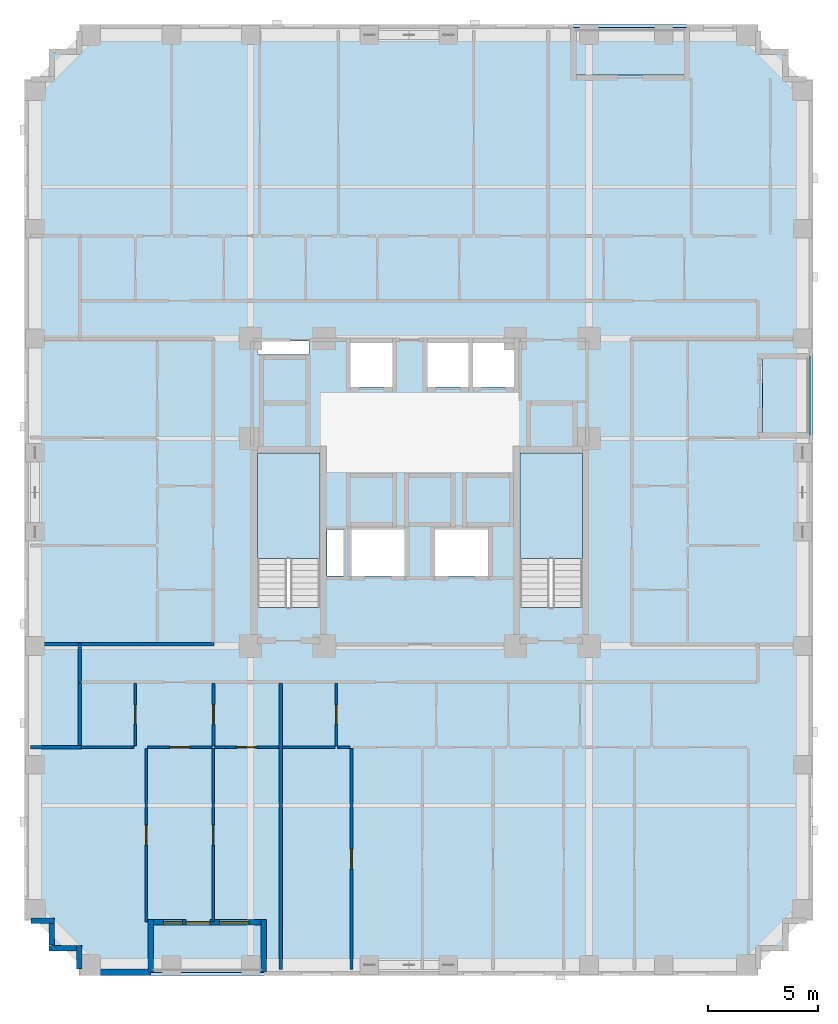
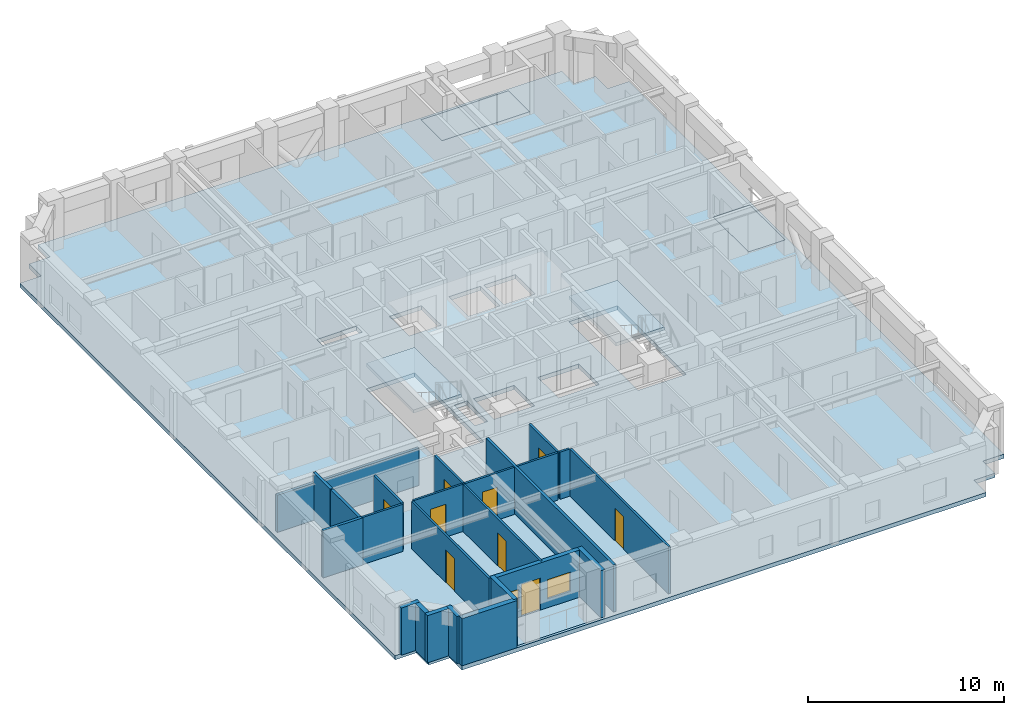
# One storey, part 2 of 12: 24 walls, 9 doors, 6 slabs, 2 windows, 11 openings, 2 elements without a shape of their own.
"""IFC4 building model written with IfcOpenShell, lengths in metres."""

import ifcopenshell
import ifcopenshell.guid

model = None  # the IFC model being written
_history = None  # IfcOwnerHistory: only IFC2X3 demands one
_inside = {}  # id of a spatial element -> (the spatial element, [elements in it])
_under = {}  # id of a project, library or spatial element -> (it, [spatial elements below it])
_declared = {}  # id of a project -> (the project, [libraries it declares])
_typed = {}  # id of a type object -> (the type object, [elements of that type])
_made_of = {}  # id of a material, layer set ... -> (it, [elements and type objects made of it])


def new_model(schema):
    """Start an empty IFC model of exactly this schema.

    Asked for "IFC4X3", IfcOpenShell would pick the latest addendum, in which some entities
    have other attributes; the version numbers below select the first issue.
    IFC2X3 requires an IfcOwnerHistory on every rooted entity: one is made here for all.
    """
    global model, _history
    if schema == "IFC4X3":
        model = ifcopenshell.file(schema_version=(4, 3, 0, 0))
    else:
        model = ifcopenshell.file(schema=schema)
    _inside.clear()
    _under.clear()
    _declared.clear()
    _typed.clear()
    _made_of.clear()
    _history = None
    if model.schema == "IFC2X3":
        org = make("IfcOrganization", Name="unknown")
        user = make(
            "IfcPersonAndOrganization",
            ThePerson=make("IfcPerson", FamilyName="unknown"),
            TheOrganization=org,
        )
        app = make(
            "IfcApplication",
            ApplicationDeveloper=org,
            Version="unknown",
            ApplicationFullName="unknown",
            ApplicationIdentifier="unknown",
        )
        _history = make(
            "IfcOwnerHistory",
            OwningUser=user,
            OwningApplication=app,
            ChangeAction="ADDED",
            CreationDate=0,
        )
    return model


def make(cls, **values):
    """One entity of the class cls with the attributes given. An attribute that is None is left unset."""
    return model.create_entity(
        cls, **{name: value for name, value in values.items() if value is not None}
    )


def rooted(cls, **values):
    """An entity with a GlobalId (a new one), such as an element, a storey or a relation."""
    return make(cls, GlobalId=ifcopenshell.guid.new(), OwnerHistory=_history, **values)


def si_unit(unit_type, name, prefix=None):
    """IfcSIUnit, for example si_unit("LENGTHUNIT", "METRE", prefix="MILLI")."""
    return make("IfcSIUnit", UnitType=unit_type, Prefix=prefix, Name=name)


def derived_unit(unit_type, elements):
    """IfcDerivedUnit: a product of units, each with its exponent."""
    return make(
        "IfcDerivedUnit",
        Elements=[
            make("IfcDerivedUnitElement", Unit=unit, Exponent=power)
            for unit, power in elements
        ],
        UnitType=unit_type,
    )


def assignment(units):
    """IfcUnitAssignment: the units of a project."""
    return None if units is None else make("IfcUnitAssignment", Units=units)


def point(xyz):
    """IfcCartesianPoint."""
    return None if xyz is None else make("IfcCartesianPoint", Coordinates=xyz)


def direction(xyz):
    """IfcDirection."""
    return None if xyz is None else make("IfcDirection", DirectionRatios=xyz)


def frame(location, z_axis=None, x_axis=None):
    """IfcAxis2Placement3D, a coordinate frame: its origin and axes. An axis left out is left unset."""
    return make(
        "IfcAxis2Placement3D",
        Location=point(location),
        Axis=direction(z_axis),
        RefDirection=direction(x_axis),
    )


def frame_2d(location, x_axis=None):
    """IfcAxis2Placement2D, a coordinate frame in the plane: its origin and x axis."""
    return make(
        "IfcAxis2Placement2D", Location=point(location), RefDirection=direction(x_axis)
    )


def origin():
    """The frame at (0, 0, 0) with its axes left unset."""
    return frame((0.0, 0.0, 0.0))


def place(relative_to, where):
    """IfcLocalPlacement: puts the frame where relative to a parent placement (None: the world)."""
    return make(
        "IfcLocalPlacement", PlacementRelTo=relative_to, RelativePlacement=where
    )


def context(
    kind, dimensions, precision=None, world=None, true_north=None, identifier=None
):
    """IfcGeometricRepresentationContext, for example the 3D "Model" context."""
    return make(
        "IfcGeometricRepresentationContext",
        ContextIdentifier=identifier,
        ContextType=kind,
        CoordinateSpaceDimension=dimensions,
        Precision=precision,
        WorldCoordinateSystem=world,
        TrueNorth=true_north,
    )


def subcontext(parent, identifier, kind, view, scale=None):
    """IfcGeometricRepresentationSubContext, for example "Body" below "Model"."""
    return make(
        "IfcGeometricRepresentationSubContext",
        ContextIdentifier=identifier,
        ContextType=kind,
        ParentContext=parent,
        TargetScale=scale,
        TargetView=view,
    )


def project(units=None, contexts=None):
    """IfcProject with its units and contexts."""
    return rooted(
        "IfcProject",
        Name="project",
        RepresentationContexts=contexts,
        UnitsInContext=assignment(units),
    )


def spatial(cls, under=None, at=None, **own):
    """A site, building, storey or space (cls), placed at a placement, below another one or the project."""
    s = rooted(cls, ObjectPlacement=at, **own)
    if under is not None:
        _under.setdefault(under.id(), (under, []))[1].append(s)
    return s


def polyline(points):
    """IfcPolyline through the points."""
    return make("IfcPolyline", Points=[point(p) for p in points])


def profile(cls, at=None, kind="AREA", **sizes):
    """A parametric profile (cls). Its sizes go by their IFC names, for example OverallWidth=200.0."""
    return make(cls, ProfileType=kind, Position=at, **sizes)


def rectangle(**sizes):
    """IfcRectangleProfileDef."""
    return profile("IfcRectangleProfileDef", **sizes)


def outline(outer, holes=None, kind="AREA"):
    """IfcArbitraryClosedProfileDef: a profile drawn as a closed curve; with holes, ...WithVoids."""
    if holes is None:
        return make("IfcArbitraryClosedProfileDef", ProfileType=kind, OuterCurve=outer)
    return make(
        "IfcArbitraryProfileDefWithVoids",
        ProfileType=kind,
        OuterCurve=outer,
        InnerCurves=holes,
    )


def extrude(swept, where, along, depth):
    """IfcExtrudedAreaSolid: the profile swept, set in the frame where, extruded along a direction by depth."""
    return make(
        "IfcExtrudedAreaSolid",
        SweptArea=swept,
        Position=where,
        ExtrudedDirection=direction(along),
        Depth=depth,
    )


def shape(context_of_items, identifier, shape_type, items):
    """IfcShapeRepresentation: the items that make up one representation, for example the "Body"."""
    return make(
        "IfcShapeRepresentation",
        ContextOfItems=context_of_items,
        RepresentationIdentifier=identifier,
        RepresentationType=shape_type,
        Items=items,
    )


def material(Name=None, Category=None):
    """IfcMaterial."""
    return make("IfcMaterial", Name=Name, Category=Category)


def layer(
    of_material, thickness, ventilated=None, Name=None, Category=None, Priority=None
):
    """IfcMaterialLayer: one layer of a wall or slab, of a material (None: an air gap)."""
    return make(
        "IfcMaterialLayer",
        Material=of_material,
        LayerThickness=thickness,
        IsVentilated=ventilated,
        Name=Name,
        Category=Category,
        Priority=Priority,
    )


def layer_set(layers, Name=None):
    """IfcMaterialLayerSet."""
    return make("IfcMaterialLayerSet", MaterialLayers=layers, LayerSetName=Name)


def made_of(thing, what):
    """Note that an element or type object is made of a material, layer set ...; save() writes the relation."""
    if what is not None:
        _made_of.setdefault(what.id(), (what, []))[1].append(thing)
    return thing


def type_object(cls, material=None, **own):
    """A type object (cls), such as IfcWallType, which elements share."""
    return made_of(rooted(cls, **own), material)


def element(
    cls,
    number,
    at=None,
    inside=None,
    cuts=None,
    type_object=None,
    material=None,
    context=None,
    identifier="Body",
    shape_type=None,
    held_by="IfcProductDefinitionShape",
    body=None,
    shapes=None,
    **own,
):
    """One element of the class cls, such as IfcWall. Its Tag is "e" and its number.

    at: its placement. inside: the storey or other place that contains it. cuts: it is an
    opening in that element (IfcRelVoidsElement). A single representation is given by context,
    identifier, shape_type and body (its items); several are given by shapes. held_by: the class
    of the entity that holds the representations. save() writes the other relations.
    """
    e = rooted(cls, Tag="e%d" % number, ObjectPlacement=at, **own)
    if body is not None:
        shapes = [shape(context, identifier, shape_type, body)]
    if shapes is not None:
        e.Representation = make(held_by, Representations=shapes)
    if inside is not None:
        _inside.setdefault(inside.id(), (inside, []))[1].append(e)
    if cuts is not None:
        rooted(
            "IfcRelVoidsElement", RelatingBuildingElement=cuts, RelatedOpeningElement=e
        )
    if type_object is not None:
        _typed.setdefault(type_object.id(), (type_object, []))[1].append(e)
    return made_of(e, material)


def fill(opening, filler):
    """IfcRelFillsElement: the door or window that sits in an opening."""
    return rooted(
        "IfcRelFillsElement",
        RelatingOpeningElement=opening,
        RelatedBuildingElement=filler,
    )


def aggregate(whole, parts):
    """IfcRelAggregates: a whole, such as a stair, and the parts it consists of."""
    return rooted("IfcRelAggregates", RelatingObject=whole, RelatedObjects=parts)


def save(model, path):
    """Write the relations noted so far, then the file.

    IfcRelAggregates (storeys below a building ...), IfcRelContainedInSpatialStructure (elements
    in a storey), IfcRelDefinesByType, IfcRelAssociatesMaterial and IfcRelDeclares: one each for
    every whole, place, type object, material and project.
    """
    for whole, parts in _under.values():
        aggregate(whole, parts)
    for where, things in _inside.values():
        rooted(
            "IfcRelContainedInSpatialStructure",
            RelatedElements=things,
            RelatingStructure=where,
        )
    for kind, things in _typed.values():
        rooted("IfcRelDefinesByType", RelatedObjects=things, RelatingType=kind)
    for what, things in _made_of.values():
        rooted("IfcRelAssociatesMaterial", RelatedObjects=things, RelatingMaterial=what)
    for by, libraries in _declared.values():
        rooted("IfcRelDeclares", RelatingContext=by, RelatedDefinitions=libraries)
    model.write(path)


model = new_model("IFC4")

# Units and contexts
model_context = context("Model", 3, precision=1e-05, world=origin(), true_north=direction((0.0, 1.0)))
body_context = subcontext(model_context, "Body", "Model", "MODEL_VIEW")
ifc_project = project(units=[si_unit("LENGTHUNIT", "METRE"), si_unit("AREAUNIT", "SQUARE_METRE"), si_unit("VOLUMEUNIT", "CUBIC_METRE"), si_unit("PLANEANGLEUNIT", "RADIAN"), si_unit("MASSUNIT", "GRAM", prefix="KILO"), derived_unit("THERMALTRANSMITTANCEUNIT", [(si_unit("MASSUNIT", "GRAM", prefix="KILO"), 1), (si_unit("TIMEUNIT", "SECOND"), -3), (si_unit("THERMODYNAMICTEMPERATUREUNIT", "KELVIN"), -1)])], contexts=[model_context])

# Site, building, storey
site_placement = place(None, origin())
site = spatial("IfcSite", under=ifc_project, at=site_placement, CompositionType="ELEMENT")
building_placement = place(site_placement, origin())
building = spatial("IfcBuilding", under=site, at=building_placement, Name="Korrvale Station Residences", CompositionType="ELEMENT")
storey_placement = place(building_placement, frame((0.0, 0.0, 84.699951171875)))
storey = spatial("IfcBuildingStorey", under=building, at=storey_placement, Name="L23", CompositionType="ELEMENT", Elevation=84.699951171875)

# Slabs
ifc_material_1 = material(Name="Concrete C50/60", Category="concrete")
ifc_layer_1 = layer(ifc_material_1, 0.219970703125, Name="Concrete C50/60")
ifc_layer_set_1 = layer_set([ifc_layer_1], Name="Concrete C50/60")
slab_type_1 = type_object("IfcSlabType", Name="SLB-BAL-220", PredefinedType="FLOOR", material=ifc_layer_set_1)
slab_1_placement = place(storey_placement, frame((0.0, 0.0, -0.219970703125)))
element("IfcSlab", 1, at=slab_1_placement, inside=storey, type_object=slab_type_1, Name="L23 Recessed Loggia Balcony Slab BAL-L23-S1", PredefinedType="FLOOR", context=body_context, shape_type="SweptSolid", body=[
    extrude(outline(polyline([(13.25, 0.14990234375), (18.39990234375, 0.14990234375), (18.39990234375, 2.300048828125), (13.25, 2.300048828125), (13.25, 0.14990234375)])), origin(), (0.0, 0.0, 1.0), 0.219970703125),
])
slab_2_placement = place(storey_placement, frame((0.0, 0.0, -0.219970703125)))
element("IfcSlab", 2, at=slab_2_placement, inside=storey, type_object=slab_type_1, Name="L23 Recessed Loggia Balcony Slab BAL-L23-N1", PredefinedType="FLOOR", context=body_context, shape_type="SweptSolid", body=[
    extrude(outline(polyline([(32.5, 41.0), (37.64990234375, 41.0), (37.64990234375, 43.14990234375), (32.5, 43.14990234375), (32.5, 41.0)])), origin(), (0.0, 0.0, 1.0), 0.219970703125),
])
slab_3_placement = place(storey_placement, frame((0.0, 0.0, -0.219970703125)))
element("IfcSlab", 3, at=slab_3_placement, inside=storey, type_object=slab_type_1, Name="L23 Recessed Loggia Balcony Slab BAL-L23-E1", PredefinedType="FLOOR", context=body_context, shape_type="SweptSolid", body=[
    extrude(outline(polyline([(41.10009765625, 24.60009765625), (43.25, 24.60009765625), (43.25, 28.199951171875), (41.10009765625, 28.199951171875), (41.10009765625, 24.60009765625)])), origin(), (0.0, 0.0, 1.0), 0.219970703125),
])
ifc_layer_2 = layer(ifc_material_1, 0.260009765625, Name="Concrete C50/60")
ifc_layer_set_2 = layer_set([ifc_layer_2], Name="Concrete C50/60")
slab_type_2 = type_object("IfcSlabType", Name="SLB-FLR-260", PredefinedType="FLOOR", material=ifc_layer_set_2)
slab_4_placement = place(storey_placement, frame((0.0, 0.0, -0.260009765625)))
element("IfcSlab", 4, at=slab_4_placement, inside=storey, type_object=slab_type_2, Name="L23 Suspended Structural Floor Slab", PredefinedType="FLOOR", context=body_context, shape_type="SweptSolid", body=[
    extrude(outline(polyline([(10.0, 0.0), (40.89990234375, 0.0), (40.89990234375, 1.25), (42.14990234375, 1.25), (42.14990234375, 2.5), (43.39990234375, 2.5), (43.39990234375, 40.800048828125), (42.14990234375, 40.800048828125), (42.14990234375, 42.050048828125), (40.89990234375, 42.050048828125), (40.89990234375, 43.300048828125), (10.0, 43.300048828125), (10.0, 42.050048828125), (8.75, 42.050048828125), (8.75, 40.800048828125), (7.5, 40.800048828125), (7.5, 2.5), (8.75, 2.5), (8.75, 1.25), (10.0, 1.25), (10.0, 0.0)]), holes=[polyline([(20.949951171875, 16.751953125), (20.949951171875, 23.800048828125), (18.10009765625, 23.800048828125), (18.10009765625, 16.751953125), (20.949951171875, 16.751953125)]), polyline([(32.89990234375, 16.751953125), (32.89990234375, 23.800048828125), (30.050048828125, 23.800048828125), (30.050048828125, 16.751953125), (32.89990234375, 16.751953125)]), polyline([(22.35009765625, 26.800048828125), (24.25, 26.800048828125), (24.25, 28.800048828125), (22.35009765625, 28.800048828125), (22.35009765625, 26.800048828125)]), polyline([(25.85009765625, 26.800048828125), (27.7099609375, 26.800048828125), (27.7099609375, 28.800048828125), (25.85009765625, 28.800048828125), (25.85009765625, 26.800048828125)]), polyline([(27.929931640625, 26.800048828125), (29.7900390625, 26.800048828125), (29.7900390625, 28.800048828125), (27.929931640625, 28.800048828125), (27.929931640625, 26.800048828125)]), polyline([(22.39990234375, 18.199951171875), (24.800048828125, 18.199951171875), (24.800048828125, 20.300048828125), (22.39990234375, 20.300048828125), (22.39990234375, 18.199951171875)]), polyline([(26.199951171875, 18.199951171875), (28.60009765625, 18.199951171875), (28.60009765625, 20.300048828125), (26.199951171875, 20.300048828125), (26.199951171875, 18.199951171875)]), polyline([(18.10009765625, 28.280029296875), (20.449951171875, 28.280029296875), (20.449951171875, 28.8798828125), (18.10009765625, 28.8798828125), (18.10009765625, 28.280029296875)]), polyline([(21.280029296875, 18.199951171875), (22.02001953125, 18.199951171875), (22.02001953125, 20.300048828125), (21.280029296875, 20.300048828125), (21.280029296875, 18.199951171875)]), polyline([(13.25, 0.14990234375), (18.39990234375, 0.14990234375), (18.39990234375, 2.300048828125), (13.25, 2.300048828125), (13.25, 0.14990234375)]), polyline([(32.5, 41.0), (37.64990234375, 41.0), (37.64990234375, 43.14990234375), (32.5, 43.14990234375), (32.5, 41.0)]), polyline([(41.10009765625, 24.60009765625), (43.25, 24.60009765625), (43.25, 28.199951171875), (41.10009765625, 28.199951171875), (41.10009765625, 24.60009765625)])]), origin(), (0.0, 0.0, 1.0), 0.260009765625),
])

# Stair, slab
stair_type = type_object("IfcStairType", Name="STR-DL-1350-18R-1778", PredefinedType="HALF_TURN_STAIR", material=ifc_material_1)
stair_1_placement = place(storey_placement, origin())
stair_1 = element("IfcStair", 5, at=stair_1_placement, inside=storey, type_object=stair_type, Name="L23 Exit Stair 1", PredefinedType="HALF_TURN_STAIR")
ifc_layer_3 = layer(ifc_material_1, 0.199951171875, Name="Concrete C50/60")
ifc_layer_set_3 = layer_set([ifc_layer_3], Name="Concrete C50/60")
slab_type_3 = type_object("IfcSlabType", Name="SLB-LND-200", PredefinedType="LANDING", material=ifc_layer_set_3)
slab_5_placement = place(storey_placement, frame((0.0, 0.0, 1.400146484375)))
slab_5 = element("IfcSlab", 6, at=slab_5_placement, type_object=slab_type_3, Name="ST-1 landing 1", PredefinedType="LANDING", context=body_context, shape_type="SweptSolid", body=[
    extrude(outline(polyline([(20.949951171875, 18.989990234375), (20.949951171875, 23.800048828125), (18.10009765625, 23.800048828125), (18.10009765625, 18.989990234375), (20.949951171875, 18.989990234375)])), origin(), (0.0, 0.0, 1.0), 0.199951171875),
])
aggregate(stair_1, [slab_5])

stair_2_placement = place(storey_placement, origin())
stair_2 = element("IfcStair", 7, at=stair_2_placement, inside=storey, type_object=stair_type, Name="L23 Exit Stair 2", PredefinedType="HALF_TURN_STAIR")
slab_6_placement = place(storey_placement, frame((0.0, 0.0, 1.400146484375)))
slab_6 = element("IfcSlab", 8, at=slab_6_placement, type_object=slab_type_3, Name="ST-2 landing 1", PredefinedType="LANDING", context=body_context, shape_type="SweptSolid", body=[
    extrude(outline(polyline([(32.89990234375, 18.989990234375), (32.89990234375, 23.800048828125), (30.050048828125, 23.800048828125), (30.050048828125, 18.989990234375), (32.89990234375, 18.989990234375)])), origin(), (0.0, 0.0, 1.0), 0.199951171875),
])
aggregate(stair_2, [slab_6])

# Wall
ifc_material_2 = material(Name="Precast concrete C45/55", Category="concrete")
ifc_layer_4 = layer(ifc_material_2, 0.260009765625, Name="Precast concrete C45/55")
ifc_layer_set_4 = layer_set([ifc_layer_4], Name="Precast concrete C45/55")
wall_type_1 = type_object("IfcWallType", Name="WAL-EXT-LOG260", PredefinedType="SOLIDWALL", material=ifc_layer_set_4)
wall_1_placement = place(storey_placement, frame((18.39990234375, 0.159912109375, 0.0), z_axis=(0.0, 0.0, 1.0), x_axis=(0.0, 1.0, 0.0)))
element("IfcWall", 9, at=wall_1_placement, inside=storey, type_object=wall_type_1, Name="L23 Recessed Loggia Wall BAL-L23-S1-L", PredefinedType="SOLIDWALL", context=body_context, shape_type="SweptSolid", body=[
    extrude(rectangle(XDim=2.400146484375, YDim=0.260009765625, at=frame_2d((1.2001953125, 0.0))), origin(), (0.0, 0.0, 1.0), 2.93994140625),
])

# Wall, openings, door, windows
wall_2_placement = place(storey_placement, frame((18.26611328125, 2.429931640625, 0.0), z_axis=(0.0, 0.0, 1.0), x_axis=(-1.0, 0.0, 0.0)))
wall_2 = element("IfcWall", 10, at=wall_2_placement, inside=storey, type_object=wall_type_1, Name="L23 Recessed Loggia Wall BAL-L23-S1-B", PredefinedType="SOLIDWALL", context=body_context, shape_type="SweptSolid", body=[
    extrude(rectangle(XDim=4.882080078125, YDim=0.260009765625, at=frame_2d((2.44091796875, 0.0))), origin(), (0.0, 0.0, 1.0), 2.93994140625),
])
opening_1_placement = place(wall_2_placement, frame((2.31591796875, 0.0, 0.0)))
opening_1 = element("IfcOpeningElement", 11, at=opening_1_placement, cuts=wall_2, Name="Opening BD-01", PredefinedType="OPENING", context=body_context, shape_type="SweptSolid", body=[
    extrude(rectangle(XDim=1.10009765625, YDim=2.0, at=frame_2d((0.550048828125, 1.0))), frame((0.0, 0.14013671875, 0.0), z_axis=(0.0, -1.0, 0.0), x_axis=(1.0, 0.0, 0.0)), (0.0, 0.0, 1.0), 0.280029296875),
])
opening_2_placement = place(wall_2_placement, frame((3.575927734375, 0.0, 0.550048828125)))
opening_2 = element("IfcOpeningElement", 12, at=opening_2_placement, cuts=wall_2, Name="Opening W-11", PredefinedType="OPENING", context=body_context, shape_type="SweptSolid", body=[
    extrude(rectangle(XDim=0.85009765625, YDim=1.199951171875, at=frame_2d((0.425048828125, 0.60009765625))), frame((0.0, 0.14013671875, 0.0), z_axis=(0.0, -1.0, 0.0), x_axis=(1.0, 0.0, 0.0)), (0.0, 0.0, 1.0), 0.280029296875),
])
opening_3_placement = place(wall_2_placement, frame((0.544921875, 0.0, 0.550048828125)))
opening_3 = element("IfcOpeningElement", 13, at=opening_3_placement, cuts=wall_2, Name="Opening W-10", PredefinedType="OPENING", context=body_context, shape_type="SweptSolid", body=[
    extrude(rectangle(XDim=1.35009765625, YDim=1.199951171875, at=frame_2d((0.675048828125, 0.60009765625))), frame((0.0, 0.14013671875, 0.0), z_axis=(0.0, -1.0, 0.0), x_axis=(1.0, 0.0, 0.0)), (0.0, 0.0, 1.0), 0.280029296875),
])
ifc_material_3 = material(Name="Exterior thermally broken aluminium glazed balcony door", Category="aluminium")
door_type_1 = type_object("IfcDoorType", Name="DR-EXT-BAL", OperationType="NOTDEFINED", PredefinedType="DOOR", material=ifc_material_3)
door_1_placement = place(opening_1_placement, origin())
door_1 = element("IfcDoor", 14, at=door_1_placement, inside=storey, type_object=door_type_1, Name="L23 Loggia Balcony Door BAL-L23-S1", OperationType="SINGLE_SWING_LEFT", OverallHeight=2.0, OverallWidth=1.10009765625, PredefinedType="DOOR", context=body_context, shape_type="SweptSolid", body=[
    extrude(rectangle(XDim=1.10009765625, YDim=2.0, at=frame_2d((0.550048828125, 1.0))), frame((0.0, 0.02490234375, 0.0), z_axis=(0.0, -1.0, 0.0), x_axis=(1.0, 0.0, 0.0)), (0.0, 0.0, 1.0), 0.050048828125),
])
fill(opening_1, door_1)
ifc_material_4 = material(Name="Thermally broken aluminium frame with triple low-e glazing", Category="aluminium")
window_type_1 = type_object("IfcWindowType", Name="WIN-W10", PartitioningType="SINGLE_PANEL", PredefinedType="WINDOW", material=ifc_material_4)
window_1_placement = place(opening_3_placement, origin())
window_1 = element("IfcWindow", 15, at=window_1_placement, inside=storey, type_object=window_type_1, Name="L23 Punched Window 04", OverallHeight=1.199951171875, OverallWidth=1.35009765625, PartitioningType="SINGLE_PANEL", PredefinedType="WINDOW", context=body_context, shape_type="SweptSolid", body=[
    extrude(rectangle(XDim=1.35009765625, YDim=1.199951171875, at=frame_2d((0.675048828125, 0.60009765625))), frame((0.0, 0.030029296875, 0.0), z_axis=(0.0, -1.0, 0.0), x_axis=(1.0, 0.0, 0.0)), (0.0, 0.0, 1.0), 0.06005859375),
])
fill(opening_3, window_1)
window_type_2 = type_object("IfcWindowType", Name="WIN-W11", PartitioningType="SINGLE_PANEL", PredefinedType="WINDOW", material=ifc_material_4)
window_2_placement = place(opening_2_placement, origin())
window_2 = element("IfcWindow", 16, at=window_2_placement, inside=storey, type_object=window_type_2, Name="L23 Punched Window 03", OverallHeight=1.199951171875, OverallWidth=0.85009765625, PartitioningType="SINGLE_PANEL", PredefinedType="WINDOW", context=body_context, shape_type="SweptSolid", body=[
    extrude(rectangle(XDim=0.85009765625, YDim=1.199951171875, at=frame_2d((0.425048828125, 0.60009765625))), frame((0.0, 0.030029296875, 0.0), z_axis=(0.0, -1.0, 0.0), x_axis=(1.0, 0.0, 0.0)), (0.0, 0.0, 1.0), 0.06005859375),
])
fill(opening_2, window_2)

# Walls
wall_3_placement = place(storey_placement, frame((13.25, 2.56005859375, 0.0), z_axis=(0.0, 0.0, 1.0), x_axis=(0.0, -1.0, 0.0)))
element("IfcWall", 17, at=wall_3_placement, inside=storey, type_object=wall_type_1, Name="L23 Recessed Loggia Wall BAL-L23-S1-R", PredefinedType="SOLIDWALL", context=body_context, shape_type="SweptSolid", body=[
    extrude(rectangle(XDim=2.400146484375, YDim=0.260009765625, at=frame_2d((1.2001953125, 0.0))), origin(), (0.0, 0.0, 1.0), 2.93994140625),
])
wall_4_placement = place(storey_placement, frame((10.0, 0.302001953125, 0.0), z_axis=(0.0, 0.0, 1.0), x_axis=(0.0, 1.0, 0.0)))
element("IfcWall", 18, at=wall_4_placement, inside=storey, type_object=wall_type_1, Name="L23 Serrated Corner Precast Step SW-1", PredefinedType="SOLIDWALL", context=body_context, shape_type="SweptSolid", body=[
    extrude(rectangle(XDim=1.077880859375, YDim=0.260009765625, at=frame_2d((0.5390625, 0.0))), origin(), (0.0, 0.0, 1.0), 2.93994140625),
])
wall_5_placement = place(storey_placement, frame((9.867919921875, 1.25, 0.0), z_axis=(0.0, 0.0, 1.0), x_axis=(-1.0, 0.0, 0.0)))
element("IfcWall", 19, at=wall_5_placement, inside=storey, type_object=wall_type_1, Name="L23 Serrated Corner Precast Step SW-2", PredefinedType="SOLIDWALL", context=body_context, shape_type="SweptSolid", body=[
    extrude(rectangle(XDim=1.247802734375, YDim=0.260009765625, at=frame_2d((0.6240234375, 0.0))), origin(), (0.0, 0.0, 1.0), 2.93994140625),
])
wall_6_placement = place(storey_placement, frame((8.75, 1.382080078125, 0.0), z_axis=(0.0, 0.0, 1.0), x_axis=(0.0, 1.0, 0.0)))
element("IfcWall", 20, at=wall_6_placement, inside=storey, type_object=wall_type_1, Name="L23 Serrated Corner Precast Step SW-3", PredefinedType="SOLIDWALL", context=body_context, shape_type="SweptSolid", body=[
    extrude(rectangle(XDim=0.98583984375, YDim=0.260009765625, at=frame_2d((0.492919921875, 0.0))), origin(), (0.0, 0.0, 1.0), 2.93994140625),
])
wall_7_placement = place(storey_placement, frame((8.8798828125, 2.5, 0.0), z_axis=(0.0, 0.0, 1.0), x_axis=(-1.0, 0.0, 0.0)))
element("IfcWall", 21, at=wall_7_placement, inside=storey, type_object=wall_type_1, Name="L23 Serrated Corner Precast Step SW-4", PredefinedType="SOLIDWALL", context=body_context, shape_type="SweptSolid", body=[
    extrude(rectangle(XDim=1.077880859375, YDim=0.260009765625, at=frame_2d((0.5390625, 0.0))), origin(), (0.0, 0.0, 1.0), 2.93994140625),
])
ifc_layer_5 = layer(ifc_material_2, 0.300048828125, Name="Precast concrete C45/55")
ifc_layer_set_5 = layer_set([ifc_layer_5], Name="Precast concrete C45/55")
wall_type_2 = type_object("IfcWallType", Name="WAL-EXT-PC300", PredefinedType="SOLIDWALL", material=ifc_layer_set_5)
wall_8_placement = place(storey_placement, frame((13.25, 0.14990234375, 0.0), z_axis=(0.0, 0.0, 1.0), x_axis=(-1.0, 0.0, 0.0)))
element("IfcWall", 22, at=wall_8_placement, inside=storey, type_object=wall_type_2, Name="L23 South Exterior Precast Wall 2", PredefinedType="SOLIDWALL", context=body_context, shape_type="SweptSolid", body=[
    extrude(rectangle(XDim=3.25, YDim=0.300048828125, at=frame_2d((1.625, 0.0))), origin(), (0.0, 0.0, 1.0), 2.93994140625),
])

# Wall, opening, door
ifc_material_5 = material(Name="Acoustic steel-stud gypsum board partition", Category="steel")
ifc_layer_6 = layer(ifc_material_5, 0.1201171875, Name="Acoustic steel-stud gypsum board partition")
ifc_layer_set_6 = layer_set([ifc_layer_6], Name="Acoustic steel-stud gypsum board partition")
wall_type_3 = type_object("IfcWallType", Name="WAL-PART-125", PredefinedType="PARTITIONING", material=ifc_layer_set_6)
wall_9_placement = place(storey_placement, frame((12.5400390625, 10.4599609375, 0.0), z_axis=(0.0, 0.0, 1.0), x_axis=(0.0, 1.0, 0.0)))
wall_9 = element("IfcWall", 23, at=wall_9_placement, inside=storey, type_object=wall_type_3, Name="L23 Suite Partition U01-V01", PredefinedType="PARTITIONING", context=body_context, shape_type="SweptSolid", body=[
    extrude(rectangle(XDim=2.85009765625, YDim=0.1201171875, at=frame_2d((1.425048828125, 0.0))), origin(), (0.0, 0.0, 1.0), 2.93994140625),
])
opening_4_placement = place(wall_9_placement, frame((0.9951171875, 0.0, 0.0)))
opening_4 = element("IfcOpeningElement", 24, at=opening_4_placement, cuts=wall_9, Name="Opening DB-860", PredefinedType="OPENING", context=body_context, shape_type="SweptSolid", body=[
    extrude(rectangle(XDim=0.860107421875, YDim=2.050048828125, at=frame_2d((0.43017578125, 1.02490234375))), frame((0.0, 0.070068359375, 0.0), z_axis=(0.0, -1.0, 0.0), x_axis=(1.0, 0.0, 0.0)), (0.0, 0.0, 1.0), 0.14013671875),
])
ifc_material_6 = material(Name="Moisture-resistant solid-core bathroom door", Category="timber")
door_type_2 = type_object("IfcDoorType", Name="DR-BATH-860", OperationType="NOTDEFINED", PredefinedType="DOOR", material=ifc_material_6)
door_2_placement = place(opening_4_placement, origin())
door_2 = element("IfcDoor", 25, at=door_2_placement, inside=storey, type_object=door_type_2, Name="L23 Apartment 2BR L23-U01 Bathroom Door", OperationType="SINGLE_SWING_RIGHT", OverallHeight=2.050048828125, OverallWidth=0.860107421875, PredefinedType="DOOR", context=body_context, shape_type="SweptSolid", body=[
    extrude(rectangle(XDim=0.860107421875, YDim=2.050048828125, at=frame_2d((0.43017578125, 1.02490234375))), frame((0.0, 0.02490234375, 0.0), z_axis=(0.0, -1.0, 0.0), x_axis=(1.0, 0.0, 0.0)), (0.0, 0.0, 1.0), 0.050048828125),
])
fill(opening_4, door_2)

# Wall
wall_10_placement = place(storey_placement, frame((10.080078125, 10.39990234375, 0.0), z_axis=(0.0, 0.0, 1.0), x_axis=(1.0, 0.0, 0.0)))
element("IfcWall", 26, at=wall_10_placement, inside=storey, type_object=wall_type_3, Name="L23 Suite Partition U01-H03", PredefinedType="PARTITIONING", context=body_context, shape_type="SweptSolid", body=[
    extrude(rectangle(XDim=2.39990234375, YDim=0.1201171875, at=frame_2d((1.199951171875, 0.0))), origin(), (0.0, 0.0, 1.0), 2.93994140625),
])

# Wall, opening, door
wall_11_placement = place(storey_placement, frame((16.110107421875, 10.4599609375, 0.0), z_axis=(0.0, 0.0, 1.0), x_axis=(0.0, 1.0, 0.0)))
wall_11 = element("IfcWall", 27, at=wall_11_placement, inside=storey, type_object=wall_type_3, Name="L23 Suite Partition U01-V12", PredefinedType="PARTITIONING", context=body_context, shape_type="SweptSolid", body=[
    extrude(rectangle(XDim=2.85009765625, YDim=0.1201171875, at=frame_2d((1.425048828125, 0.0))), origin(), (0.0, 0.0, 1.0), 2.93994140625),
])
opening_5_placement = place(wall_11_placement, frame((0.97509765625, 0.0, 0.0)))
opening_5 = element("IfcOpeningElement", 28, at=opening_5_placement, cuts=wall_11, Name="Opening DI-900", PredefinedType="OPENING", context=body_context, shape_type="SweptSolid", body=[
    extrude(rectangle(XDim=0.89990234375, YDim=2.050048828125, at=frame_2d((0.449951171875, 1.02490234375))), frame((0.0, 0.070068359375, 0.0), z_axis=(0.0, -1.0, 0.0), x_axis=(1.0, 0.0, 0.0)), (0.0, 0.0, 1.0), 0.14013671875),
])
ifc_material_7 = material(Name="Painted solid-core timber interior room door", Category="wood")
door_type_3 = type_object("IfcDoorType", Name="DR-INT-900", OperationType="NOTDEFINED", PredefinedType="DOOR", material=ifc_material_7)
door_3_placement = place(opening_5_placement, origin())
door_3 = element("IfcDoor", 29, at=door_3_placement, inside=storey, type_object=door_type_3, Name="L23 Apartment 2BR L23-U01 Kitchen Door", OperationType="SINGLE_SWING_LEFT", OverallHeight=2.050048828125, OverallWidth=0.89990234375, PredefinedType="DOOR", context=body_context, shape_type="SweptSolid", body=[
    extrude(rectangle(XDim=0.89990234375, YDim=2.050048828125, at=frame_2d((0.449951171875, 1.02490234375))), frame((0.0, 0.02490234375, 0.0), z_axis=(0.0, -1.0, 0.0), x_axis=(1.0, 0.0, 0.0)), (0.0, 0.0, 1.0), 0.050048828125),
])
fill(opening_5, door_3)

wall_12_placement = place(storey_placement, frame((13.110107421875, 10.39990234375, 0.0), z_axis=(0.0, 0.0, 1.0), x_axis=(1.0, 0.0, 0.0)))
wall_12 = element("IfcWall", 30, at=wall_12_placement, inside=storey, type_object=wall_type_3, Name="L23 Suite Partition U01-H14", PredefinedType="PARTITIONING", context=body_context, shape_type="SweptSolid", body=[
    extrude(rectangle(XDim=2.919921875, YDim=0.1201171875, at=frame_2d((1.4599609375, 0.0))), origin(), (0.0, 0.0, 1.0), 2.93994140625),
])
opening_6_placement = place(wall_12_placement, frame((1.010009765625, 0.0, 0.0)))
opening_6 = element("IfcOpeningElement", 31, at=opening_6_placement, cuts=wall_12, Name="Opening DI-900", PredefinedType="OPENING", context=body_context, shape_type="SweptSolid", body=[
    extrude(rectangle(XDim=0.89990234375, YDim=2.050048828125, at=frame_2d((0.449951171875, 1.02490234375))), frame((0.0, 0.070068359375, 0.0), z_axis=(0.0, -1.0, 0.0), x_axis=(1.0, 0.0, 0.0)), (0.0, 0.0, 1.0), 0.14013671875),
])
door_4_placement = place(opening_6_placement, origin())
door_4 = element("IfcDoor", 32, at=door_4_placement, inside=storey, type_object=door_type_3, Name="L23 Apartment 2BR L23-U01 Kitchen Door", OperationType="SINGLE_SWING_RIGHT", OverallHeight=2.050048828125, OverallWidth=0.89990234375, PredefinedType="DOOR", context=body_context, shape_type="SweptSolid", body=[
    extrude(rectangle(XDim=0.89990234375, YDim=2.050048828125, at=frame_2d((0.449951171875, 1.02490234375))), frame((0.0, 0.02490234375, 0.0), z_axis=(0.0, -1.0, 0.0), x_axis=(1.0, 0.0, 0.0)), (0.0, 0.0, 1.0), 0.050048828125),
])
fill(opening_6, door_4)

wall_13_placement = place(storey_placement, frame((16.169921875, 10.39990234375, 0.0), z_axis=(0.0, 0.0, 1.0), x_axis=(1.0, 0.0, 0.0)))
wall_13 = element("IfcWall", 33, at=wall_13_placement, inside=storey, type_object=wall_type_3, Name="L23 Suite Partition U01-H25", PredefinedType="PARTITIONING", context=body_context, shape_type="SweptSolid", body=[
    extrude(rectangle(XDim=2.900146484375, YDim=0.1201171875, at=frame_2d((1.4501953125, 0.0))), origin(), (0.0, 0.0, 1.0), 2.93994140625),
])
opening_7_placement = place(wall_13_placement, frame((1.0, 0.0, 0.0)))
opening_7 = element("IfcOpeningElement", 34, at=opening_7_placement, cuts=wall_13, Name="Opening DI-900", PredefinedType="OPENING", context=body_context, shape_type="SweptSolid", body=[
    extrude(rectangle(XDim=0.89990234375, YDim=2.050048828125, at=frame_2d((0.449951171875, 1.02490234375))), frame((0.0, 0.070068359375, 0.0), z_axis=(0.0, -1.0, 0.0), x_axis=(1.0, 0.0, 0.0)), (0.0, 0.0, 1.0), 0.14013671875),
])
door_5_placement = place(opening_7_placement, origin())
door_5 = element("IfcDoor", 35, at=door_5_placement, inside=storey, type_object=door_type_3, Name="L23 Apartment 2BR L23-U01 Utility and Laundry Room Door", OperationType="SINGLE_SWING_LEFT", OverallHeight=2.050048828125, OverallWidth=0.89990234375, PredefinedType="DOOR", context=body_context, shape_type="SweptSolid", body=[
    extrude(rectangle(XDim=0.89990234375, YDim=2.050048828125, at=frame_2d((0.449951171875, 1.02490234375))), frame((0.0, 0.02490234375, 0.0), z_axis=(0.0, -1.0, 0.0), x_axis=(1.0, 0.0, 0.0)), (0.0, 0.0, 1.0), 0.050048828125),
])
fill(opening_7, door_5)

wall_14_placement = place(storey_placement, frame((13.050048828125, 2.429931640625, 0.0), z_axis=(0.0, 0.0, 1.0), x_axis=(0.0, 1.0, 0.0)))
wall_14 = element("IfcWall", 36, at=wall_14_placement, inside=storey, type_object=wall_type_3, Name="L23 Suite Partition U01-V34", PredefinedType="PARTITIONING", context=body_context, shape_type="SweptSolid", body=[
    extrude(rectangle(XDim=7.91015625, YDim=0.1201171875, at=frame_2d((3.955078125, 0.0))), origin(), (0.0, 0.0, 1.0), 2.93994140625),
])
opening_8_placement = place(wall_14_placement, frame((3.5048828125, 0.0, 0.0)))
opening_8 = element("IfcOpeningElement", 37, at=opening_8_placement, cuts=wall_14, Name="Opening DI-900", PredefinedType="OPENING", context=body_context, shape_type="SweptSolid", body=[
    extrude(rectangle(XDim=0.89990234375, YDim=2.050048828125, at=frame_2d((0.449951171875, 1.02490234375))), frame((0.0, 0.070068359375, 0.0), z_axis=(0.0, -1.0, 0.0), x_axis=(1.0, 0.0, 0.0)), (0.0, 0.0, 1.0), 0.14013671875),
])
door_6_placement = place(opening_8_placement, origin())
door_6 = element("IfcDoor", 38, at=door_6_placement, inside=storey, type_object=door_type_3, Name="L23 Apartment 2BR L23-U01 Living and Dining Room Door", OperationType="SINGLE_SWING_RIGHT", OverallHeight=2.050048828125, OverallWidth=0.89990234375, PredefinedType="DOOR", context=body_context, shape_type="SweptSolid", body=[
    extrude(rectangle(XDim=0.89990234375, YDim=2.050048828125, at=frame_2d((0.449951171875, 1.02490234375))), frame((0.0, 0.02490234375, 0.0), z_axis=(0.0, -1.0, 0.0), x_axis=(1.0, 0.0, 0.0)), (0.0, 0.0, 1.0), 0.050048828125),
])
fill(opening_8, door_6)

wall_15_placement = place(storey_placement, frame((16.090087890625, 2.429931640625, 0.0), z_axis=(0.0, 0.0, 1.0), x_axis=(0.0, 1.0, 0.0)))
wall_15 = element("IfcWall", 39, at=wall_15_placement, inside=storey, type_object=wall_type_3, Name="L23 Suite Partition U01-V45", PredefinedType="PARTITIONING", context=body_context, shape_type="SweptSolid", body=[
    extrude(rectangle(XDim=7.91015625, YDim=0.1201171875, at=frame_2d((3.955078125, 0.0))), origin(), (0.0, 0.0, 1.0), 2.93994140625),
])
opening_9_placement = place(wall_15_placement, frame((3.5048828125, 0.0, 0.0)))
opening_9 = element("IfcOpeningElement", 40, at=opening_9_placement, cuts=wall_15, Name="Opening DI-900", PredefinedType="OPENING", context=body_context, shape_type="SweptSolid", body=[
    extrude(rectangle(XDim=0.89990234375, YDim=2.050048828125, at=frame_2d((0.449951171875, 1.02490234375))), frame((0.0, 0.070068359375, 0.0), z_axis=(0.0, -1.0, 0.0), x_axis=(1.0, 0.0, 0.0)), (0.0, 0.0, 1.0), 0.14013671875),
])
door_7_placement = place(opening_9_placement, origin())
door_7 = element("IfcDoor", 41, at=door_7_placement, inside=storey, type_object=door_type_3, Name="L23 Apartment 2BR L23-U01 Bedroom 1 Door", OperationType="SINGLE_SWING_LEFT", OverallHeight=2.050048828125, OverallWidth=0.89990234375, PredefinedType="DOOR", context=body_context, shape_type="SweptSolid", body=[
    extrude(rectangle(XDim=0.89990234375, YDim=2.050048828125, at=frame_2d((0.449951171875, 1.02490234375))), frame((0.0, 0.02490234375, 0.0), z_axis=(0.0, -1.0, 0.0), x_axis=(1.0, 0.0, 0.0)), (0.0, 0.0, 1.0), 0.050048828125),
])
fill(opening_9, door_7)

wall_16_placement = place(storey_placement, frame((21.68994140625, 10.4599609375, 0.0), z_axis=(0.0, 0.0, 1.0), x_axis=(0.0, 1.0, 0.0)))
wall_16 = element("IfcWall", 42, at=wall_16_placement, inside=storey, type_object=wall_type_3, Name="L23 Suite Partition U02-V01", PredefinedType="PARTITIONING", context=body_context, shape_type="SweptSolid", body=[
    extrude(rectangle(XDim=2.85009765625, YDim=0.1201171875, at=frame_2d((1.425048828125, 0.0))), origin(), (0.0, 0.0, 1.0), 2.93994140625),
])
opening_10_placement = place(wall_16_placement, frame((0.9951171875, 0.0, 0.0)))
opening_10 = element("IfcOpeningElement", 43, at=opening_10_placement, cuts=wall_16, Name="Opening DB-860", PredefinedType="OPENING", context=body_context, shape_type="SweptSolid", body=[
    extrude(rectangle(XDim=0.860107421875, YDim=2.050048828125, at=frame_2d((0.43017578125, 1.02490234375))), frame((0.0, 0.070068359375, 0.0), z_axis=(0.0, -1.0, 0.0), x_axis=(1.0, 0.0, 0.0)), (0.0, 0.0, 1.0), 0.14013671875),
])
door_8_placement = place(opening_10_placement, origin())
door_8 = element("IfcDoor", 44, at=door_8_placement, inside=storey, type_object=door_type_2, Name="L23 Studio Apartment L23-U02 Bathroom Door", OperationType="SINGLE_SWING_RIGHT", OverallHeight=2.050048828125, OverallWidth=0.860107421875, PredefinedType="DOOR", context=body_context, shape_type="SweptSolid", body=[
    extrude(rectangle(XDim=0.860107421875, YDim=2.050048828125, at=frame_2d((0.43017578125, 1.02490234375))), frame((0.0, 0.02490234375, 0.0), z_axis=(0.0, -1.0, 0.0), x_axis=(1.0, 0.0, 0.0)), (0.0, 0.0, 1.0), 0.050048828125),
])
fill(opening_10, door_8)

# Walls
wall_17_placement = place(storey_placement, frame((19.22998046875, 10.39990234375, 0.0), z_axis=(0.0, 0.0, 1.0), x_axis=(1.0, 0.0, 0.0)))
element("IfcWall", 45, at=wall_17_placement, inside=storey, type_object=wall_type_3, Name="L23 Suite Partition U02-H06", PredefinedType="PARTITIONING", context=body_context, shape_type="SweptSolid", body=[
    extrude(rectangle(XDim=2.39990234375, YDim=0.1201171875, at=frame_2d((1.199951171875, 0.0))), origin(), (0.0, 0.0, 1.0), 2.93994140625),
])
wall_18_placement = place(storey_placement, frame((21.75, 10.39990234375, 0.0), z_axis=(0.0, 0.0, 1.0), x_axis=(1.0, 0.0, 0.0)))
element("IfcWall", 46, at=wall_18_placement, inside=storey, type_object=wall_type_3, Name="L23 Suite Partition U02-H16", PredefinedType="PARTITIONING", context=body_context, shape_type="SweptSolid", body=[
    extrude(rectangle(XDim=0.580078125, YDim=0.1201171875, at=frame_2d((0.2900390625, 0.0))), origin(), (0.0, 0.0, 1.0), 2.93994140625),
])

# Wall, opening, door
wall_19_placement = place(storey_placement, frame((22.389892578125, 0.280029296875, 0.0), z_axis=(0.0, 0.0, 1.0), x_axis=(0.0, 1.0, 0.0)))
wall_19 = element("IfcWall", 47, at=wall_19_placement, inside=storey, type_object=wall_type_3, Name="L23 Suite Partition U02-V67", PredefinedType="PARTITIONING", context=body_context, shape_type="SweptSolid", body=[
    extrude(rectangle(XDim=10.06005859375, YDim=0.1201171875, at=frame_2d((5.030029296875, 0.0))), origin(), (0.0, 0.0, 1.0), 2.93994140625),
])
opening_11_placement = place(wall_19_placement, frame((4.56494140625, 0.0, 0.0)))
opening_11 = element("IfcOpeningElement", 48, at=opening_11_placement, cuts=wall_19, Name="Opening DI-900", PredefinedType="OPENING", context=body_context, shape_type="SweptSolid", body=[
    extrude(rectangle(XDim=0.89990234375, YDim=2.050048828125, at=frame_2d((0.449951171875, 1.02490234375))), frame((0.0, 0.070068359375, 0.0), z_axis=(0.0, -1.0, 0.0), x_axis=(1.0, 0.0, 0.0)), (0.0, 0.0, 1.0), 0.14013671875),
])
door_9_placement = place(opening_11_placement, origin())
door_9 = element("IfcDoor", 49, at=door_9_placement, inside=storey, type_object=door_type_3, Name="L23 Studio Apartment L23-U02 Formal Dining Room Door", OperationType="SINGLE_SWING_RIGHT", OverallHeight=2.050048828125, OverallWidth=0.89990234375, PredefinedType="DOOR", context=body_context, shape_type="SweptSolid", body=[
    extrude(rectangle(XDim=0.89990234375, YDim=2.050048828125, at=frame_2d((0.449951171875, 1.02490234375))), frame((0.0, 0.02490234375, 0.0), z_axis=(0.0, -1.0, 0.0), x_axis=(1.0, 0.0, 0.0)), (0.0, 0.0, 1.0), 0.050048828125),
])
fill(opening_11, door_9)

# Walls
ifc_material_8 = material(Name="Fire-rated twin-stud gypsum and mineral wool shaftwall assembly", Category="gypsum")
ifc_layer_7 = layer(ifc_material_8, 0.159912109375, Name="Fire-rated twin-stud gypsum and mineral wool shaftwall assembly")
ifc_layer_set_7 = layer_set([ifc_layer_7], Name="Fire-rated twin-stud gypsum and mineral wool shaftwall assembly")
wall_type_4 = type_object("IfcWallType", Name="WAL-PART-200", PredefinedType="PARTITIONING", material=ifc_layer_set_7)
wall_20_placement = place(storey_placement, frame((10.02001953125, 13.35009765625, 0.0), z_axis=(0.0, 0.0, 1.0), x_axis=(0.0, 1.0, 0.0)))
element("IfcWall", 50, at=wall_20_placement, inside=storey, type_object=wall_type_4, Name="L23 Corridor South West Cap", PredefinedType="PARTITIONING", context=body_context, shape_type="SweptSolid", body=[
    extrude(rectangle(XDim=1.739990234375, YDim=0.159912109375, at=frame_2d((0.8701171875, 0.0))), origin(), (0.0, 0.0, 1.0), 2.93994140625),
])
wall_21_placement = place(storey_placement, frame((7.780029296875, 15.090087890625, 0.0), z_axis=(0.0, 0.0, 1.0), x_axis=(1.0, 0.0, 0.0)))
element("IfcWall", 51, at=wall_21_placement, inside=storey, type_object=wall_type_4, Name="L23 West Wing South Corridor Wall", PredefinedType="PARTITIONING", context=body_context, shape_type="SweptSolid", body=[
    extrude(rectangle(XDim=8.35986328125, YDim=0.159912109375, at=frame_2d((4.179931640625, 0.0))), origin(), (0.0, 0.0, 1.0), 2.30908203125),
])
wall_22_placement = place(storey_placement, frame((7.780029296875, 10.39990234375, 0.0), z_axis=(0.0, 0.0, 1.0), x_axis=(1.0, 0.0, 0.0)))
element("IfcWall", 52, at=wall_22_placement, inside=storey, type_object=wall_type_4, Name="L23 Corner Step Wall U01-L", PredefinedType="PARTITIONING", context=body_context, shape_type="SweptSolid", body=[
    extrude(rectangle(XDim=2.340087890625, YDim=0.159912109375, at=frame_2d((1.169921875, 0.0))), origin(), (0.0, 0.0, 1.0), 2.93994140625),
])
wall_23_placement = place(storey_placement, frame((10.02001953125, 10.39990234375, 0.0), z_axis=(0.0, 0.0, 1.0), x_axis=(0.0, 1.0, 0.0)))
element("IfcWall", 53, at=wall_23_placement, inside=storey, type_object=wall_type_4, Name="L23 Corner Step Cheek U01-L", PredefinedType="PARTITIONING", context=body_context, shape_type="SweptSolid", body=[
    extrude(rectangle(XDim=2.91015625, YDim=0.159912109375, at=frame_2d((1.455078125, 0.0))), origin(), (0.0, 0.0, 1.0), 2.93994140625),
])
wall_24_placement = place(storey_placement, frame((19.169921875, 0.280029296875, 0.0), z_axis=(0.0, 0.0, 1.0), x_axis=(0.0, 1.0, 0.0)))
element("IfcWall", 54, at=wall_24_placement, inside=storey, type_object=wall_type_4, Name="L23 Demising Wall U02-W", PredefinedType="PARTITIONING", context=body_context, shape_type="SweptSolid", body=[
    extrude(rectangle(XDim=13.030029296875, YDim=0.159912109375, at=frame_2d((6.51513671875, 0.0))), origin(), (0.0, 0.0, 1.0), 2.93994140625),
])

save(model, "model.ifc")
